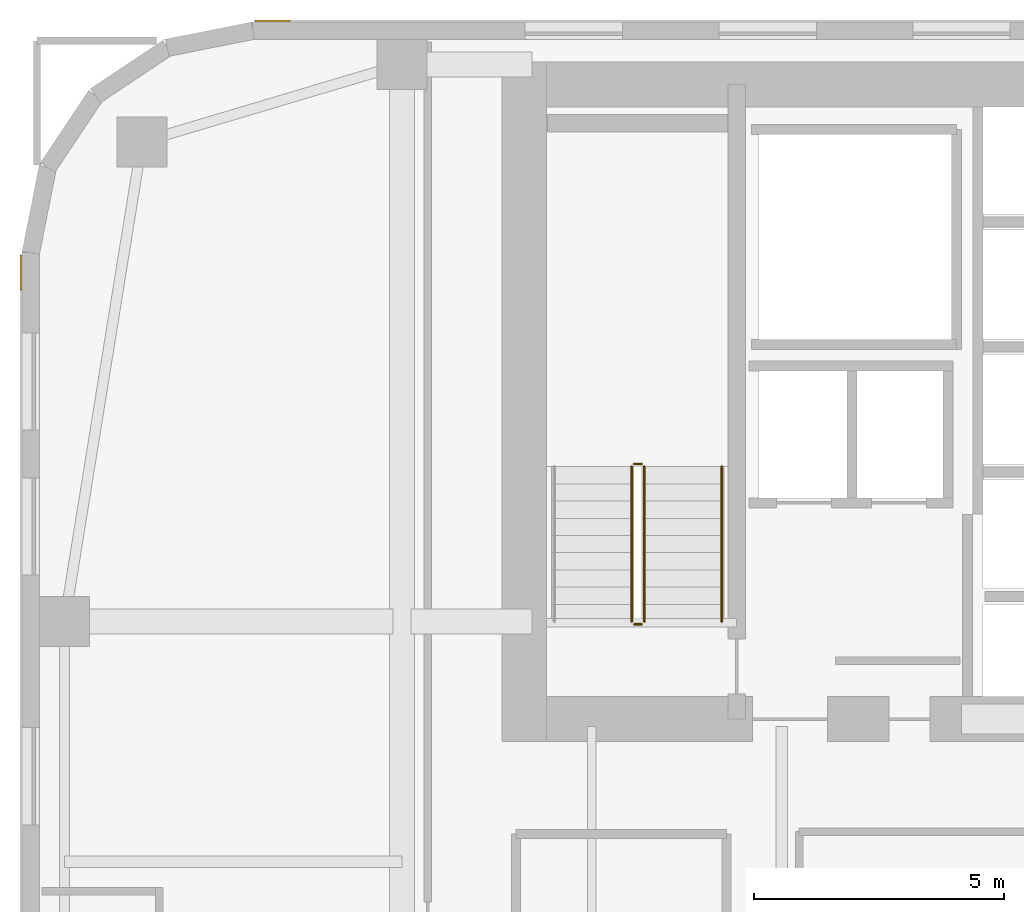
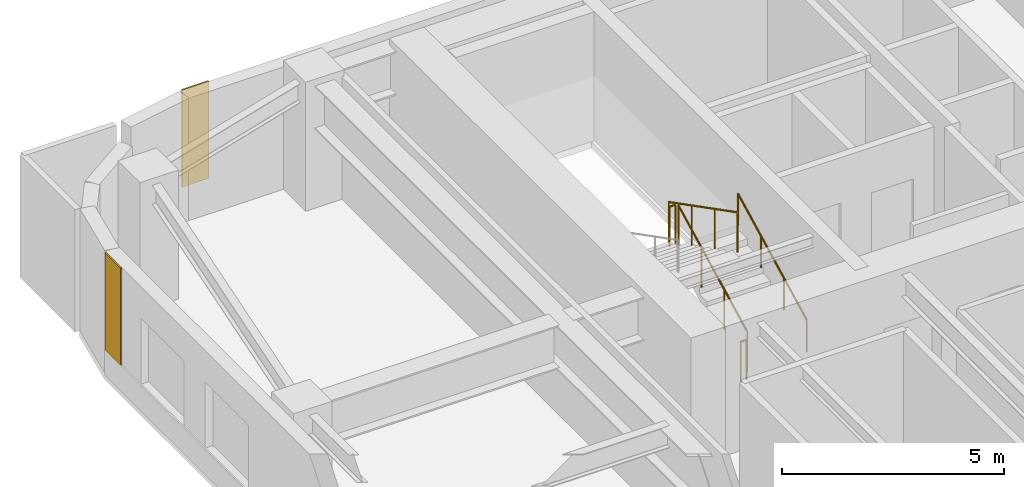
# One storey, part 22 of 24: 5 railings, 2 coverings.
"""IFC4 building model written with IfcOpenShell, lengths in metres."""

from ifc_helpers import new_model, si_unit, direction, frame, origin, origin_2d, place, context, subcontext, project, spatial, polyline, circle, outline, extrude, material, layer, layer_set, type_object, element, save


model = new_model("IFC4")

# Units and contexts
model_context = context("Model", 3, precision=1e-05, world=origin(), true_north=direction((0.0, 1.0)))
body_context = subcontext(model_context, "Body", "Model", "MODEL_VIEW")
ifc_project = project(units=[si_unit("LENGTHUNIT", "METRE"), si_unit("AREAUNIT", "SQUARE_METRE"), si_unit("VOLUMEUNIT", "CUBIC_METRE"), si_unit("PLANEANGLEUNIT", "RADIAN"), si_unit("MASSUNIT", "GRAM", prefix="KILO")], contexts=[model_context])

# Site, building, storey
site_placement = place(None, origin())
site = spatial("IfcSite", under=ifc_project, at=site_placement, CompositionType="ELEMENT")
building_placement = place(site_placement, origin())
building = spatial("IfcBuilding", under=site, at=building_placement, Name="Tolvann Quenvar Hotel", CompositionType="ELEMENT")
storey_placement = place(building_placement, frame((0.0, 0.0, 67.5)))
storey = spatial("IfcBuildingStorey", under=building, at=storey_placement, Name="L16", CompositionType="ELEMENT", Elevation=67.5)

# Coverings
ifc_material_1 = material(Name="Kiln-fired red architectural face brick cladding", Category="masonry")
ifc_layer = layer(ifc_material_1, 0.0400390625)
ifc_layer_set = layer_set([ifc_layer], Name="Kiln-fired red architectural face brick cladding")
covering_type = type_object("IfcCoveringType", Name="COV_CLAD_BRICK_40", PredefinedType="CLADDING", material=ifc_layer_set)
covering_1_placement = place(storey_placement, frame((0.0, 0.0, 0.699951171875)))
element("IfcCovering", 1, at=covering_1_placement, inside=storey, type_object=covering_type, Name="Brick Pier Cladding (L16-E18-P2)", PredefinedType="CLADDING", context=body_context, shape_type="SweptSolid", body=[
    extrude(outline(polyline([(5.3671875, 46.0), (4.667236328125, 46.0), (4.667236328125, 46.0400390625), (5.3671875, 46.0400390625), (5.3671875, 46.0)])), origin(), (0.0, 0.0, 1.0), 2.670166015625),
])
covering_2_placement = place(storey_placement, frame((0.0, 0.0, 0.699951171875)))
element("IfcCovering", 2, at=covering_2_placement, inside=storey, type_object=covering_type, Name="Brick Pier Cladding (L16-E23-P1)", PredefinedType="CLADDING", context=body_context, shape_type="SweptSolid", body=[
    extrude(outline(polyline([(0.0, 41.332763671875), (0.0, 40.6328125), (-0.0400390625, 40.6328125), (-0.0400390625, 41.332763671875), (0.0, 41.332763671875)])), origin(), (0.0, 0.0, 1.0), 2.670166015625),
])

# Railings
ifc_material_2 = material(Name="Brushed 316 stainless steel balustrade and handrail", Category="steel")
railing_type_1 = type_object("IfcRailingType", Name="GUARDRAIL", PredefinedType="GUARDRAIL", material=ifc_material_2)
railing_1_placement = place(storey_placement, frame((12.449951171875, 34.0, 0.177490234375)))
element("IfcRailing", 3, at=railing_1_placement, inside=storey, type_object=railing_type_1, Name="L16 ST-C1 stair guard 1", PredefinedType="GUARDRAIL", context=body_context, shape_type="SweptSolid", body=[
    extrude(circle(Radius=0.02392578125, at=origin_2d()), frame((0.0, 0.0, 1.09619140625), z_axis=(0.0, 0.889221982265, 0.45747597342), x_axis=(-1.0, 0.0, 0.0)), (0.0, 0.0, 1.0), 3.49169921875),
    extrude(circle(Radius=0.02099609375, at=origin_2d()), origin(), (0.0, 0.0, 1.0), 1.072021484375),
    extrude(circle(Radius=0.02099609375, at=origin_2d()), frame((0.0, 1.034912109375, 0.532470703125)), (0.0, 0.0, 1.0), 1.072021484375),
    extrude(circle(Radius=0.02099609375, at=origin_2d()), frame((0.0, 2.070068359375, 1.06494140625)), (0.0, 0.0, 1.0), 1.072021484375),
    extrude(circle(Radius=0.02099609375, at=origin_2d()), frame((0.0, 3.10498046875, 1.597412109375)), (0.0, 0.0, 1.0), 1.072021484375),
])
railing_2_placement = place(storey_placement, frame((12.39990234375, 37.155029296875, 1.77490234375)))
element("IfcRailing", 4, at=railing_2_placement, inside=storey, type_object=railing_type_1, Name="L16 ST-C1 stair guard 2", PredefinedType="GUARDRAIL", context=body_context, shape_type="SweptSolid", body=[
    extrude(circle(Radius=0.02392578125, at=origin_2d()), frame((0.0, 0.0, 1.09619140625), z_axis=(-1.0, 0.0, 0.0), x_axis=(0.0, -1.0, 0.0)), (0.0, 0.0, 1.0), 0.14990234375),
    extrude(circle(Radius=0.02099609375, at=origin_2d()), origin(), (0.0, 0.0, 1.0), 1.072021484375),
    extrude(circle(Radius=0.02099609375, at=origin_2d()), frame((-0.14990234375, 0.0, 0.0)), (0.0, 0.0, 1.0), 1.072021484375),
])
railing_3_placement = place(storey_placement, frame((12.199951171875, 37.10498046875, 1.952392578125)))
element("IfcRailing", 5, at=railing_3_placement, inside=storey, type_object=railing_type_1, Name="L16 ST-C1 stair guard 3", PredefinedType="GUARDRAIL", context=body_context, shape_type="SweptSolid", body=[
    extrude(circle(Radius=0.02392578125, at=origin_2d()), frame((0.0, 0.0, 1.09619140625), z_axis=(0.0, -0.88919353882, 0.457531256332), x_axis=(1.0, 0.0, 0.0)), (0.0, 0.0, 1.0), 3.491943359375),
    extrude(circle(Radius=0.02099609375, at=origin_2d()), origin(), (0.0, 0.0, 1.0), 1.072021484375),
    extrude(circle(Radius=0.02099609375, at=origin_2d()), frame((0.0, -1.034912109375, 0.532470703125)), (0.0, 0.0, 1.0), 1.072021484375),
    extrude(circle(Radius=0.02099609375, at=origin_2d()), frame((0.0, -2.070068359375, 1.065185546875)), (0.0, 0.0, 1.0), 1.072021484375),
    extrude(circle(Radius=0.02099609375, at=origin_2d()), frame((0.0, -3.10498046875, 1.59765625)), (0.0, 0.0, 1.0), 1.072021484375),
])
railing_4_placement = place(storey_placement, frame((12.39990234375, 33.949951171875, 0.0)))
element("IfcRailing", 6, at=railing_4_placement, inside=storey, type_object=railing_type_1, Name="L16 ST-C1 stair guard 4", PredefinedType="GUARDRAIL", context=body_context, shape_type="SweptSolid", body=[
    extrude(circle(Radius=0.02392578125, at=origin_2d()), frame((0.0, 0.0, 1.09619140625), z_axis=(-1.0, 0.0, 0.0), x_axis=(0.0, -1.0, 0.0)), (0.0, 0.0, 1.0), 0.14990234375),
    extrude(circle(Radius=0.02099609375, at=origin_2d()), origin(), (0.0, 0.0, 1.0), 1.072021484375),
    extrude(circle(Radius=0.02099609375, at=origin_2d()), frame((-0.14990234375, 0.0, 0.0)), (0.0, 0.0, 1.0), 1.072021484375),
])
railing_type_2 = type_object("IfcRailingType", Name="HANDRAIL", PredefinedType="HANDRAIL", material=ifc_material_2)
railing_5_placement = place(storey_placement, frame((14.0, 34.0, 0.177490234375)))
element("IfcRailing", 7, at=railing_5_placement, inside=storey, type_object=railing_type_2, Name="L16 ST-C1 stair handrail 1", PredefinedType="HANDRAIL", context=body_context, shape_type="SweptSolid", body=[
    extrude(circle(Radius=0.02392578125, at=origin_2d()), frame((0.0, 0.0, 0.8759765625), z_axis=(0.0, 0.889221982265, 0.45747597342), x_axis=(-1.0, 0.0, 0.0)), (0.0, 0.0, 1.0), 3.49169921875),
    extrude(circle(Radius=0.02099609375, at=origin_2d()), origin(), (0.0, 0.0, 1.0), 0.851806640625),
    extrude(circle(Radius=0.02099609375, at=origin_2d()), frame((0.0, 1.034912109375, 0.532470703125)), (0.0, 0.0, 1.0), 0.851806640625),
    extrude(circle(Radius=0.02099609375, at=origin_2d()), frame((0.0, 2.070068359375, 1.06494140625)), (0.0, 0.0, 1.0), 0.851806640625),
    extrude(circle(Radius=0.02099609375, at=origin_2d()), frame((0.0, 3.10498046875, 1.597412109375)), (0.0, 0.0, 1.0), 0.851806640625),
])

save(model, "model.ifc")
